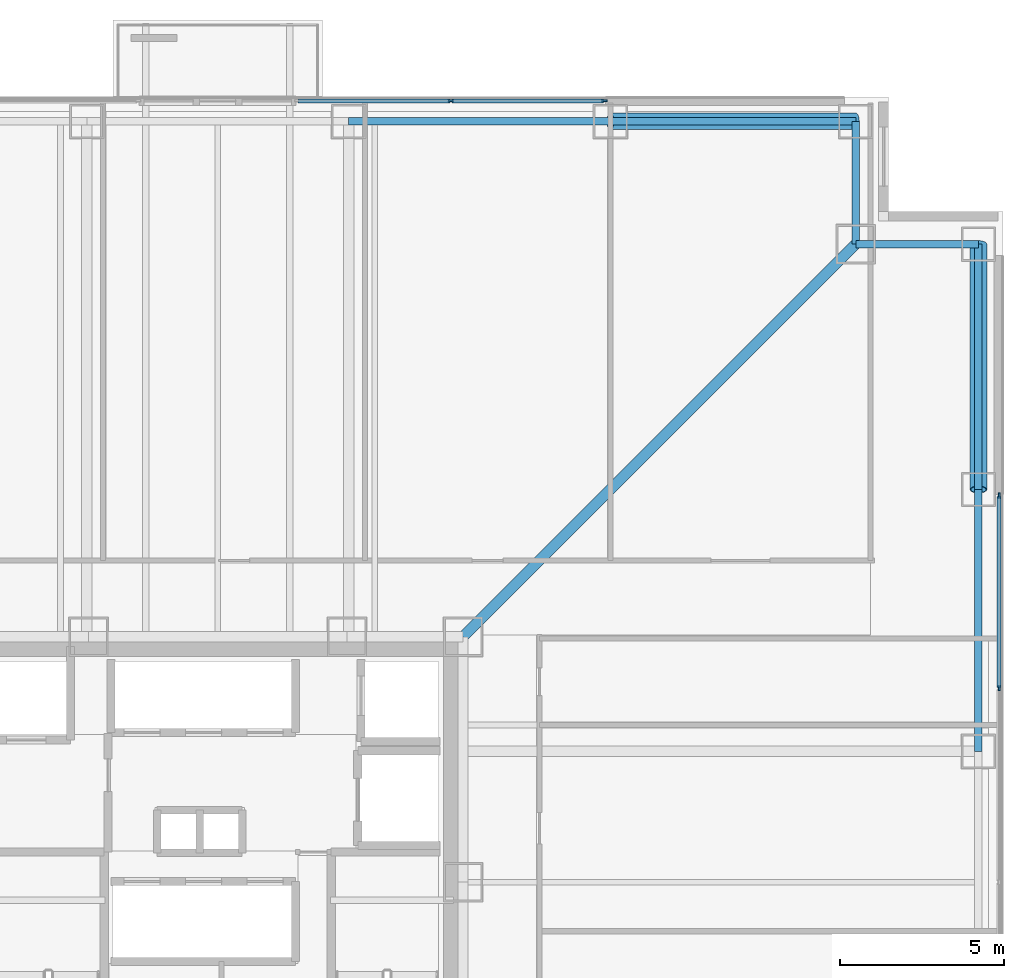
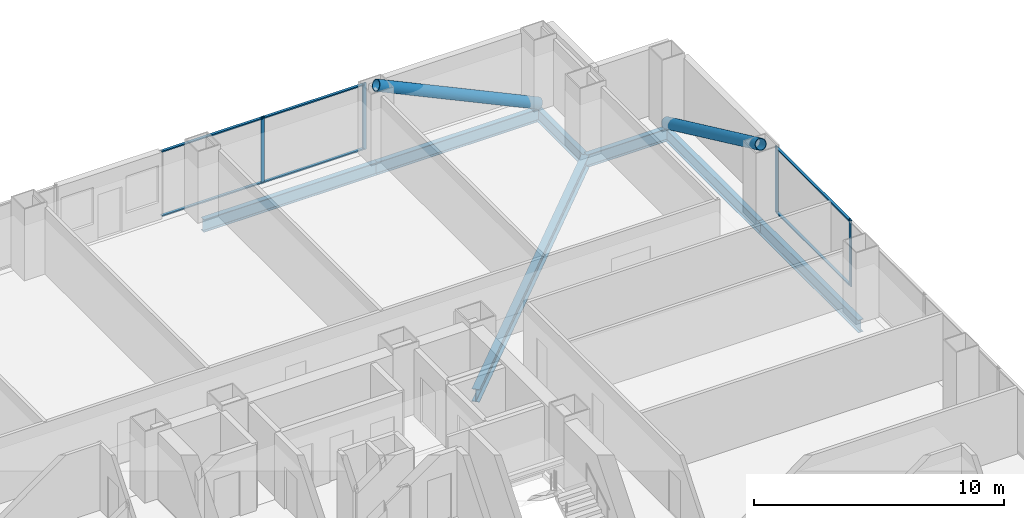
# One storey, part 9 of 16: 12 members, 7 beams, 2 elements without a shape of their own.
"""IFC4 building model written with IfcOpenShell, lengths in metres."""

from ifc_helpers import new_model, si_unit, direction, frame, origin, origin_2d, place, context, subcontext, project, spatial, rectangle, hollow_circle, i_section, extrude, material, layer, layer_set, material_profile, profile_set, type_object, element, aggregate, save


model = new_model("IFC4")

# Units and contexts
model_context = context("Model", 3, precision=1e-05, world=origin(), true_north=direction((0.0, 1.0)))
body_context = subcontext(model_context, "Body", "Model", "MODEL_VIEW")
ifc_project = project(units=[si_unit("LENGTHUNIT", "METRE"), si_unit("AREAUNIT", "SQUARE_METRE"), si_unit("VOLUMEUNIT", "CUBIC_METRE"), si_unit("PLANEANGLEUNIT", "RADIAN"), si_unit("MASSUNIT", "GRAM", prefix="KILO")], contexts=[model_context])

# Site, building, storey
site_placement = place(None, origin())
site = spatial("IfcSite", under=ifc_project, at=site_placement, CompositionType="ELEMENT")
building_placement = place(site_placement, origin())
building = spatial("IfcBuilding", under=site, at=building_placement, Name="Trevonay Congress Spire", CompositionType="ELEMENT")
storey_placement = place(building_placement, frame((0.0, 0.0, 65.5)))
storey = spatial("IfcBuildingStorey", under=building, at=storey_placement, Name="L16", CompositionType="ELEMENT", Elevation=65.5)

# Beams
ifc_material_1 = material(Name="Steel ASTM A572 Grade 50", Category="steel")
ifc_material_profile_1 = material_profile(ifc_material_1, i_section(OverallWidth=0.324951171875, OverallDepth=0.615966796875, WebThickness=0.013916015625, FlangeThickness=0.021484375, FilletRadius=0.01806640625, at=origin_2d()), Name="W610x174")
ifc_profile_set_1 = profile_set([ifc_material_profile_1], Name="Steel ASTM A572 Grade 50")
beam_type_1 = type_object("IfcBeamType", Name="BM-GIRD-W610X174", PredefinedType="BEAM", material=ifc_profile_set_1)
beam_placement = place(storey_placement, frame((7.5, 7.5, -0.55810546875), z_axis=(0.707106781187, 0.707106781187, 0.0), x_axis=(-0.707106781187, 0.707106781187, 0.0)))
element("IfcBeam", 1, at=beam_placement, inside=storey, type_object=beam_type_1, Name="L16 structural beam BM-L16-CDNE", PredefinedType="BEAM", context=body_context, shape_type="SweptSolid", body=[
    extrude(i_section(OverallWidth=0.324951171875, OverallDepth=0.615966796875, WebThickness=0.013916015625, FlangeThickness=0.021484375, FilletRadius=0.01806640625, at=origin_2d()), origin(), (0.0, 0.0, 1.0), 16.970458984375),
])
ifc_material_profile_2 = material_profile(ifc_material_1, i_section(OverallWidth=0.22998046875, OverallDepth=0.616943359375, WebThickness=0.01318359375, FlangeThickness=0.022216796875, FilletRadius=0.01611328125, at=origin_2d()), Name="W610x140")
ifc_profile_set_2 = profile_set([ifc_material_profile_2], Name="Steel ASTM A572 Grade 50")
beam_type_2 = type_object("IfcBeamType", Name="BM-RING-W610X140", PredefinedType="BEAM", material=ifc_profile_set_2)
for number, where, z_axis, x_axis, name in (
    (2, (4.0, 23.25, -0.55859375), (1.0, 0.0, 0.0), (0.0, 1.0, 0.0), "L16 structural beam BM-L16-PN4"),
    (3, (23.25, 4.0, -0.55859375), (0.0, 1.0, 0.0), (-1.0, 0.0, 0.0), "L16 structural beam BM-L16-PE4"),
):
    element("IfcBeam", number, at=place(storey_placement, frame(where, z_axis=z_axis, x_axis=x_axis)), inside=storey, type_object=beam_type_2, Name=name, PredefinedType="BEAM", context=body_context, shape_type="SweptSolid", body=[
        extrude(i_section(OverallWidth=0.22998046875, OverallDepth=0.616943359375, WebThickness=0.01318359375, FlangeThickness=0.022216796875, FilletRadius=0.01611328125, at=origin_2d()), origin(), (0.0, 0.0, 1.0), 8.0),
    ])
for number, where, z_axis, x_axis, name in (
    (4, (12.0, 23.25, -0.55859375), (1.0, 0.0, 0.0), (0.0, 1.0, 0.0), "L16 structural beam BM-L16-PN5"),
    (5, (23.25, 12.0, -0.55859375), (0.0, 1.0, 0.0), (-1.0, 0.0, 0.0), "L16 structural beam BM-L16-PE5"),
):
    element("IfcBeam", number, at=place(storey_placement, frame(where, z_axis=z_axis, x_axis=x_axis)), inside=storey, type_object=beam_type_2, Name=name, PredefinedType="BEAM", context=body_context, shape_type="SweptSolid", body=[
        extrude(i_section(OverallWidth=0.22998046875, OverallDepth=0.616943359375, WebThickness=0.01318359375, FlangeThickness=0.022216796875, FilletRadius=0.01611328125, at=origin_2d()), origin(), (0.0, 0.0, 1.0), 7.5),
    ])
for number, where, z_axis, x_axis, name in (
    (6, (19.5, 23.25, -0.55859375), (0.0, -1.0, 0.0), (1.0, 0.0, 0.0), "L16 structural beam BM-L16-N1NE"),
    (7, (23.25, 19.5, -0.55859375), (-1.0, 0.0, 0.0), (0.0, -1.0, 0.0), "L16 structural beam BM-L16-N2NE"),
):
    element("IfcBeam", number, at=place(storey_placement, frame(where, z_axis=z_axis, x_axis=x_axis)), inside=storey, type_object=beam_type_2, Name=name, PredefinedType="BEAM", context=body_context, shape_type="SweptSolid", body=[
        extrude(i_section(OverallWidth=0.22998046875, OverallDepth=0.616943359375, WebThickness=0.01318359375, FlangeThickness=0.022216796875, FilletRadius=0.01611328125, at=origin_2d()), origin(), (0.0, 0.0, 1.0), 3.75),
    ])

# Curtain wall, members
ifc_material_2 = material(Name="Pale Anodised Aluminium EN AW-6063-T6", Category="aluminium")
ifc_layer = layer(ifc_material_2, 0.179931640625, Name="Pale Anodised Aluminium EN AW-6063-T6")
ifc_layer_set = layer_set([ifc_layer], Name="Pale Anodised Aluminium EN AW-6063-T6")
curtain_wall_type = type_object("IfcCurtainWallType", Name="CW-SYS02-HOTEL-PALE-METAL", PredefinedType="NOTDEFINED", material=ifc_layer_set)
curtain_wall_1_placement = place(storey_placement, origin())
curtain_wall_1 = element("IfcCurtainWall", 8, at=curtain_wall_1_placement, inside=storey, type_object=curtain_wall_type, Name="L16 NB unitised curtain wall", PredefinedType="NOTDEFINED")
ifc_material_profile_3 = material_profile(ifc_material_2, rectangle(XDim=0.06005859375, YDim=0.159912109375, at=origin_2d()), Name="CW-MULLION-160-ALUMINIUM")
ifc_profile_set_3 = profile_set([ifc_material_profile_3], Name="Pale Anodised Aluminium EN AW-6063-T6")
member_type_1 = type_object("IfcMemberType", Name="CW-MULLION-160-ALUMINIUM", PredefinedType="MULLION", material=ifc_profile_set_3)
member_1_placement = place(storey_placement, frame((7.125, 23.8798828125, 0.0), z_axis=(0.0, 0.0, 1.0), x_axis=(0.0, 1.0, 0.0)))
member_1 = element("IfcMember", 9, at=member_1_placement, type_object=member_type_1, Name="CW02 mullion 2", PredefinedType="MULLION", context=body_context, shape_type="SweptSolid", body=[
    extrude(rectangle(XDim=0.06005859375, YDim=0.159912109375, at=origin_2d()), origin(), (0.0, 0.0, 1.0), 3.25),
])
member_2_placement = place(storey_placement, frame((11.820068359375, 23.8798828125, 0.0), z_axis=(0.0, 0.0, 1.0), x_axis=(0.0, 1.0, 0.0)))
member_2 = element("IfcMember", 10, at=member_2_placement, type_object=member_type_1, Name="CW02 mullion 3", PredefinedType="MULLION", context=body_context, shape_type="SweptSolid", body=[
    extrude(rectangle(XDim=0.06005859375, YDim=0.159912109375, at=origin_2d()), origin(), (0.0, 0.0, 1.0), 3.25),
])

curtain_wall_2_placement = place(storey_placement, origin())
curtain_wall_2 = element("IfcCurtainWall", 11, at=curtain_wall_2_placement, inside=storey, type_object=curtain_wall_type, Name="L16 E unitised curtain wall", PredefinedType="NOTDEFINED")
member_3_placement = place(storey_placement, frame((23.8798828125, 5.925048828125, 0.0), z_axis=(0.0, 0.0, 1.0), x_axis=(-1.0, 0.0, 0.0)))
member_3 = element("IfcMember", 12, at=member_3_placement, type_object=member_type_1, Name="CW02 mullion 4", PredefinedType="MULLION", context=body_context, shape_type="SweptSolid", body=[
    extrude(rectangle(XDim=0.06005859375, YDim=0.159912109375, at=origin_2d()), origin(), (0.0, 0.0, 1.0), 3.25),
])
member_4_placement = place(storey_placement, frame((23.8798828125, 11.820068359375, 0.0), z_axis=(0.0, 0.0, 1.0), x_axis=(-1.0, 0.0, 0.0)))
member_4 = element("IfcMember", 13, at=member_4_placement, type_object=member_type_1, Name="CW02 mullion 5", PredefinedType="MULLION", context=body_context, shape_type="SweptSolid", body=[
    extrude(rectangle(XDim=0.06005859375, YDim=0.159912109375, at=origin_2d()), origin(), (0.0, 0.0, 1.0), 3.25),
])

# Member
ifc_material_profile_4 = material_profile(ifc_material_2, rectangle(XDim=0.1201171875, YDim=0.06005859375, at=origin_2d()), Name="CW-TRANSOM-120-ALUMINIUM")
ifc_profile_set_4 = profile_set([ifc_material_profile_4], Name="Pale Anodised Aluminium EN AW-6063-T6")
member_type_2 = type_object("IfcMemberType", Name="CW-TRANSOM-120-ALUMINIUM", PredefinedType="USERDEFINED", material=ifc_profile_set_4)
member_5_placement = place(storey_placement, frame((2.4599609375, 23.8798828125, 0.06005859375), z_axis=(1.0, 0.0, 0.0), x_axis=(0.0, 1.0, 0.0)))
member_5 = element("IfcMember", 14, at=member_5_placement, type_object=member_type_2, Name="CW02 transom 1.1", ObjectType="TRANSOM", PredefinedType="USERDEFINED", context=body_context, shape_type="SweptSolid", body=[
    extrude(rectangle(XDim=0.1201171875, YDim=0.06005859375, at=origin_2d()), origin(), (0.0, 0.0, 1.0), 4.635009765625),
])

member_6_placement = place(storey_placement, frame((2.4599609375, 23.8798828125, 3.18994140625), z_axis=(1.0, 0.0, 0.0), x_axis=(0.0, 1.0, 0.0)))
member_6 = element("IfcMember", 15, at=member_6_placement, type_object=member_type_2, Name="CW02 transom 1.2", ObjectType="TRANSOM", PredefinedType="USERDEFINED", context=body_context, shape_type="SweptSolid", body=[
    extrude(rectangle(XDim=0.1201171875, YDim=0.06005859375, at=origin_2d()), origin(), (0.0, 0.0, 1.0), 4.635009765625),
])

member_7_placement = place(storey_placement, frame((7.155029296875, 23.8798828125, 0.06005859375), z_axis=(1.0, 0.0, 0.0), x_axis=(0.0, 1.0, 0.0)))
member_7 = element("IfcMember", 16, at=member_7_placement, type_object=member_type_2, Name="CW02 transom 2.1", ObjectType="TRANSOM", PredefinedType="USERDEFINED", context=body_context, shape_type="SweptSolid", body=[
    extrude(rectangle(XDim=0.1201171875, YDim=0.06005859375, at=origin_2d()), origin(), (0.0, 0.0, 1.0), 4.635009765625),
])

member_8_placement = place(storey_placement, frame((7.155029296875, 23.8798828125, 3.18994140625), z_axis=(1.0, 0.0, 0.0), x_axis=(0.0, 1.0, 0.0)))
member_8 = element("IfcMember", 17, at=member_8_placement, type_object=member_type_2, Name="CW02 transom 2.2", ObjectType="TRANSOM", PredefinedType="USERDEFINED", context=body_context, shape_type="SweptSolid", body=[
    extrude(rectangle(XDim=0.1201171875, YDim=0.06005859375, at=origin_2d()), origin(), (0.0, 0.0, 1.0), 4.635009765625),
])

aggregate(curtain_wall_1, [member_1, member_2, member_5, member_6, member_7, member_8])

member_9_placement = place(storey_placement, frame((23.8798828125, 5.955078125, 0.06005859375), z_axis=(0.0, 1.0, 0.0), x_axis=(-1.0, 0.0, 0.0)))
member_9 = element("IfcMember", 18, at=member_9_placement, type_object=member_type_2, Name="CW02 transom 4.1", ObjectType="TRANSOM", PredefinedType="USERDEFINED", context=body_context, shape_type="SweptSolid", body=[
    extrude(rectangle(XDim=0.1201171875, YDim=0.06005859375, at=origin_2d()), origin(), (0.0, 0.0, 1.0), 5.8349609375),
])

member_10_placement = place(storey_placement, frame((23.8798828125, 5.955078125, 3.18994140625), z_axis=(0.0, 1.0, 0.0), x_axis=(-1.0, 0.0, 0.0)))
member_10 = element("IfcMember", 19, at=member_10_placement, type_object=member_type_2, Name="CW02 transom 4.2", ObjectType="TRANSOM", PredefinedType="USERDEFINED", context=body_context, shape_type="SweptSolid", body=[
    extrude(rectangle(XDim=0.1201171875, YDim=0.06005859375, at=origin_2d()), origin(), (0.0, 0.0, 1.0), 5.8349609375),
])

aggregate(curtain_wall_2, [member_3, member_4, member_9, member_10])

# Members
ifc_material_profile_5 = material_profile(ifc_material_1, hollow_circle(Radius=0.25390625, WallThickness=0.02490234375, at=origin_2d()), Name="CHS 508x25")
ifc_profile_set_5 = profile_set([ifc_material_profile_5], Name="Steel ASTM A572 Grade 50")
member_type_3 = type_object("IfcMemberType", Name="MBR-TUBE-CHS508", PredefinedType="BRACE", material=ifc_profile_set_5)
for number, where, z_axis, x_axis, name in (
    (20, (19.5, 23.25, -0.050048828125), (-0.906183139995, 0.0, 0.422885465331), (0.0, -1.0, 0.0), "L16 perimeter braced-tube diagonal N4"),
    (21, (23.25, 19.5, -0.050048828125), (0.0, -0.906183139995, 0.422885465331), (1.0, 0.0, 0.0), "L16 perimeter braced-tube diagonal E4"),
):
    element("IfcMember", number, at=place(storey_placement, frame(where, z_axis=z_axis, x_axis=x_axis)), inside=storey, type_object=member_type_3, Name=name, PredefinedType="BRACE", context=body_context, shape_type="SweptSolid", body=[
        extrude(hollow_circle(Radius=0.25390625, WallThickness=0.02490234375, at=origin_2d()), origin(), (0.0, 0.0, 1.0), 8.2763671875),
    ])

save(model, "model.ifc")
